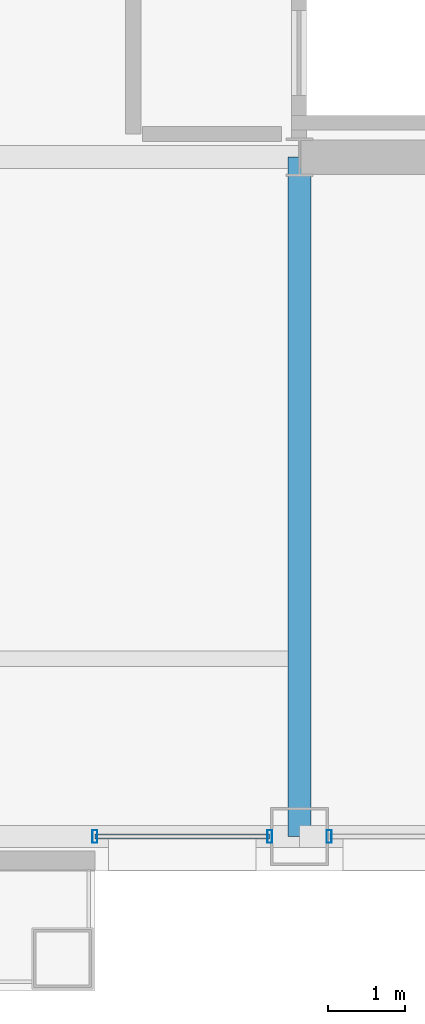
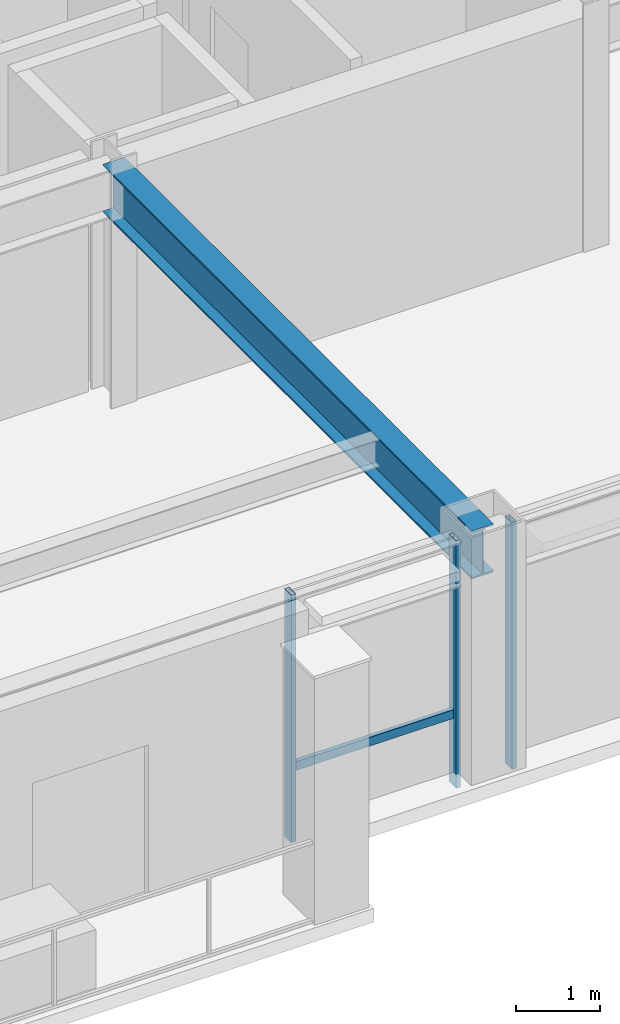
# One storey, part 7 of 28: 4 members, 1 beam, 2 elements without a shape of their own.
"""IFC4 building model written with IfcOpenShell, lengths in metres."""

from ifc_helpers import new_model, si_unit, direction, frame, origin, origin_2d, place, context, subcontext, project, spatial, hollow_rectangle, i_section, extrude, material, layer, layer_set, material_profile, profile_set, type_object, element, aggregate, save


model = new_model("IFC4")

# Units and contexts
model_context = context("Model", 3, precision=1e-05, world=origin(), true_north=direction((0.0, 1.0)))
body_context = subcontext(model_context, "Body", "Model", "MODEL_VIEW")
ifc_project = project(units=[si_unit("LENGTHUNIT", "METRE"), si_unit("AREAUNIT", "SQUARE_METRE"), si_unit("VOLUMEUNIT", "CUBIC_METRE"), si_unit("PLANEANGLEUNIT", "RADIAN"), si_unit("MASSUNIT", "GRAM", prefix="KILO")], contexts=[model_context])

# Site, building, storey
site_placement = place(None, origin())
site = spatial("IfcSite", under=ifc_project, at=site_placement, CompositionType="ELEMENT")
building_placement = place(site_placement, origin())
building = spatial("IfcBuilding", under=site, at=building_placement, Name="Brelmoor Portico Tower", CompositionType="ELEMENT")
storey_placement = place(building_placement, frame((0.0, 0.0, 165.89990234375)))
storey = spatial("IfcBuildingStorey", under=building, at=storey_placement, Name="L43", CompositionType="ELEMENT", Elevation=165.89990234375)

# Beam
ifc_material_1 = material(Name="Steel Q355B", Category="steel")
ifc_material_profile_1 = material_profile(ifc_material_1, i_section(OverallWidth=0.300048828125, OverallDepth=0.699951171875, WebThickness=0.012939453125, FlangeThickness=0.02392578125, at=origin_2d()), Name="HN 700x300x13x24")
ifc_profile_set_1 = profile_set([ifc_material_profile_1], Name="Steel Q355B")
beam_type = type_object("IfcBeamType", Name="BM-PG-700", PredefinedType="BEAM", material=ifc_profile_set_1)
beam_placement = place(storey_placement, frame((8.050048828125, -18.550048828125, 3.050048828125), z_axis=(0.0, 1.0, 0.0), x_axis=(-1.0, 0.0, 0.0)))
element("IfcBeam", 1, at=beam_placement, inside=storey, type_object=beam_type, Name="L43 Primary Floor Girder PG-06", PredefinedType="BEAM", context=body_context, shape_type="SweptSolid", body=[
    extrude(i_section(OverallWidth=0.300048828125, OverallDepth=0.699951171875, WebThickness=0.012939453125, FlangeThickness=0.02392578125, at=origin_2d()), origin(), (0.0, 0.0, 1.0), 8.800048828125),
])

# Curtain wall, members
ifc_material_2 = material(Name="Anodised Aluminium Alloy 6063-T6", Category="aluminium")
ifc_layer_1 = layer(ifc_material_2, 0.179931640625)
ifc_layer_set_1 = layer_set([ifc_layer_1], Name="Anodised Aluminium Alloy 6063-T6")
curtain_wall_type_1 = type_object("IfcCurtainWallType", Name="CW-TOWER-Z3", PredefinedType="NOTDEFINED", material=ifc_layer_set_1)
curtain_wall_1_placement = place(storey_placement, origin())
curtain_wall_1 = element("IfcCurtainWall", 2, at=curtain_wall_1_placement, inside=storey, type_object=curtain_wall_type_1, Name="L43 Curtain Wall CW-L43-1R-1", PredefinedType="NOTDEFINED")
ifc_material_profile_2 = material_profile(ifc_material_2, hollow_rectangle(XDim=0.06494140625, YDim=0.1650390625, WallThickness=0.00390625, at=origin_2d()), Name="ALU MULLION 65x165")
ifc_profile_set_2 = profile_set([ifc_material_profile_2], Name="Anodised Aluminium Alloy 6063-T6")
member_type_1 = type_object("IfcMemberType", Name="MB-CW-MULL-165", PredefinedType="MULLION", material=ifc_profile_set_2)
member_1_placement = place(storey_placement, frame((5.39990234375, -18.550048828125, -0.199951171875), z_axis=(0.0, 0.0, 1.0), x_axis=(1.0, 0.0, 0.0)))
member_1 = element("IfcMember", 3, at=member_1_placement, type_object=member_type_1, Name="CW-L43-1R-1 Mullion 00", PredefinedType="MULLION", context=body_context, shape_type="SweptSolid", body=[
    extrude(hollow_rectangle(XDim=0.06494140625, YDim=0.1650390625, WallThickness=0.00390625, at=origin_2d()), origin(), (0.0, 0.0, 1.0), 3.60009765625),
])
member_2_placement = place(storey_placement, frame((7.6650390625, -18.550048828125, -0.199951171875), z_axis=(0.0, 0.0, 1.0), x_axis=(1.0, 0.0, 0.0)))
member_2 = element("IfcMember", 4, at=member_2_placement, type_object=member_type_1, Name="CW-L43-1R-1 Mullion 01", PredefinedType="MULLION", context=body_context, shape_type="SweptSolid", body=[
    extrude(hollow_rectangle(XDim=0.06494140625, YDim=0.1650390625, WallThickness=0.00390625, at=origin_2d()), origin(), (0.0, 0.0, 1.0), 3.60009765625),
])

# Curtain wall, member
ifc_layer_2 = layer(ifc_material_2, 0.179931640625)
ifc_layer_set_2 = layer_set([ifc_layer_2], Name="Anodised Aluminium Alloy 6063-T6")
curtain_wall_type_2 = type_object("IfcCurtainWallType", Name="CW-TOWER-Z3-XB", PredefinedType="NOTDEFINED", material=ifc_layer_set_2)
curtain_wall_2_placement = place(storey_placement, origin())
curtain_wall_2 = element("IfcCurtainWall", 5, at=curtain_wall_2_placement, inside=storey, type_object=curtain_wall_type_2, Name="L43 Curtain Wall CW-L43-1R-2", PredefinedType="NOTDEFINED")
member_3_placement = place(storey_placement, frame((8.43505859375, -18.550048828125, -0.199951171875), z_axis=(0.0, 0.0, 1.0), x_axis=(1.0, 0.0, 0.0)))
member_3 = element("IfcMember", 6, at=member_3_placement, type_object=member_type_1, Name="CW-L43-1R-2 Mullion 00", PredefinedType="MULLION", context=body_context, shape_type="SweptSolid", body=[
    extrude(hollow_rectangle(XDim=0.06494140625, YDim=0.1650390625, WallThickness=0.00390625, at=origin_2d()), origin(), (0.0, 0.0, 1.0), 3.60009765625),
])
aggregate(curtain_wall_2, [member_3])

# Member
ifc_material_profile_3 = material_profile(ifc_material_2, hollow_rectangle(XDim=0.06005859375, YDim=0.125, WallThickness=0.00341796875, at=origin_2d()), Name="ALU TRANSOM 60x125")
ifc_profile_set_3 = profile_set([ifc_material_profile_3], Name="Anodised Aluminium Alloy 6063-T6")
member_type_2 = type_object("IfcMemberType", Name="MB-CW-TRAN-125", PredefinedType="USERDEFINED", material=ifc_profile_set_3)
member_4_placement = place(storey_placement, frame((5.39990234375, -18.550048828125, 0.85009765625), z_axis=(1.0, 0.0, 0.0), x_axis=(0.0, 1.0, 0.0)))
member_4 = element("IfcMember", 7, at=member_4_placement, type_object=member_type_2, Name="CW-L43-1R-1 Transom 1-00", ObjectType="TRANSOM", PredefinedType="USERDEFINED", context=body_context, shape_type="SweptSolid", body=[
    extrude(hollow_rectangle(XDim=0.06005859375, YDim=0.125, WallThickness=0.00341796875, at=origin_2d()), origin(), (0.0, 0.0, 1.0), 2.26513671875),
])

aggregate(curtain_wall_1, [member_1, member_2, member_4])

save(model, "model.ifc")
